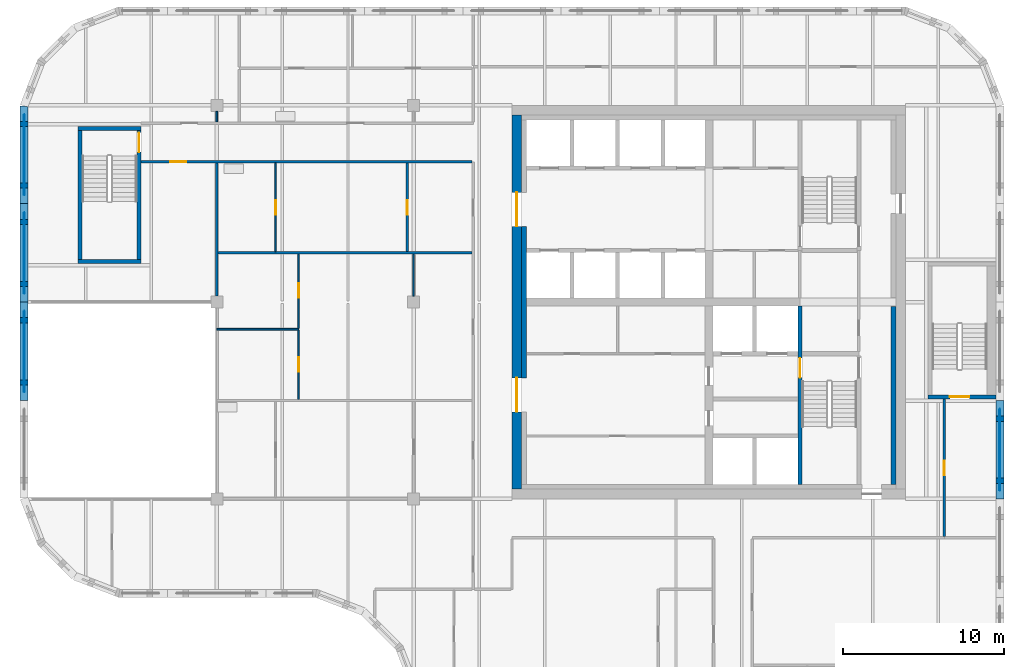
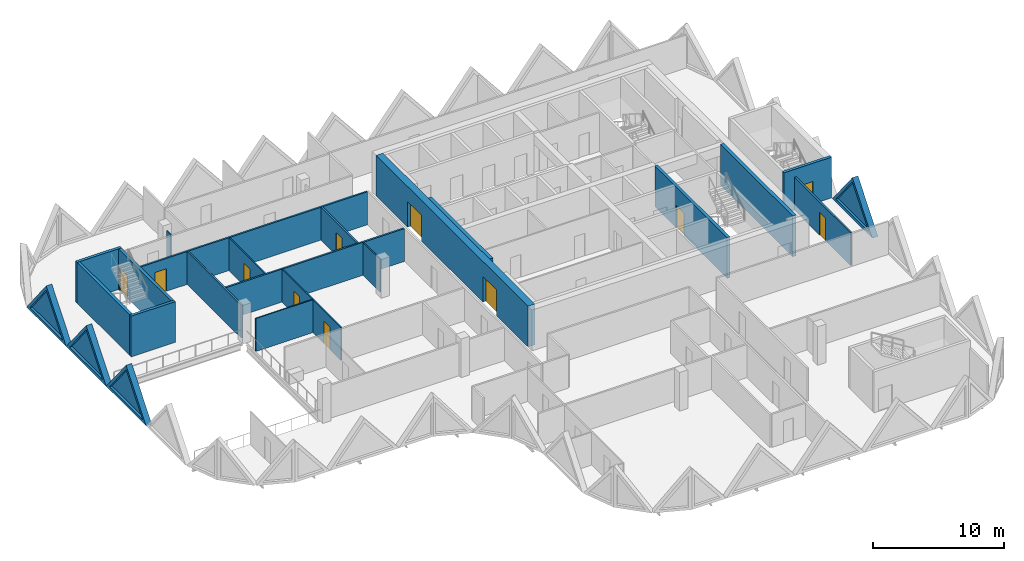
# One storey, part 6 of 12: 24 walls, 11 doors, 4 plates, 15 openings.
"""IFC4 building model written with IfcOpenShell, lengths in metres."""

from ifc_helpers import new_model, si_unit, direction, frame, frame_2d, origin, place, context, subcontext, project, spatial, polyline, rectangle, outline, extrude, faceted_brep, source, transform, mapped, material, layer, layer_set, type_object, element, fill, save


model = new_model("IFC4")

# Units and contexts
model_context = context("Model", 3, precision=1e-05, world=origin(), true_north=direction((0.0, 1.0)))
body_context = subcontext(model_context, "Body", "Model", "MODEL_VIEW")
ifc_project = project(units=[si_unit("LENGTHUNIT", "METRE"), si_unit("AREAUNIT", "SQUARE_METRE"), si_unit("VOLUMEUNIT", "CUBIC_METRE"), si_unit("PLANEANGLEUNIT", "RADIAN"), si_unit("MASSUNIT", "GRAM", prefix="KILO")], contexts=[model_context])

# Site, building, storey
site_placement = place(None, origin())
site = spatial("IfcSite", under=ifc_project, at=site_placement, CompositionType="ELEMENT")
building_placement = place(site_placement, origin())
building = spatial("IfcBuilding", under=site, at=building_placement, Name="Tessera Gate Towers", CompositionType="ELEMENT")
storey_placement = place(building_placement, frame((0.0, 0.0, 155.39990234375)))
storey = spatial("IfcBuildingStorey", under=building, at=storey_placement, Name="L38", CompositionType="ELEMENT", Elevation=155.39990234375)

# Wall, opening, door
ifc_material_1 = material(Name="Concrete C40/50", Category="concrete")
ifc_layer_1 = layer(ifc_material_1, 0.25)
ifc_layer_set_1 = layer_set([ifc_layer_1], Name="CORE ENCLOSURE WALL 250")
wall_type_1 = type_object("IfcWallType", Name="CORE ENCLOSURE WALL 250", PredefinedType="SOLIDWALL", material=ifc_layer_set_1)
wall_1_placement = place(storey_placement, frame((48.35009765625, 36.35009765625, 0.0), z_axis=(0.0, 0.0, 1.0), x_axis=(0.0, -1.0, 0.0)))
wall_1 = element("IfcWall", 1, at=wall_1_placement, inside=storey, type_object=wall_type_1, Name="L38 shaft and stair enclosure wall", PredefinedType="SOLIDWALL", context=body_context, shape_type="SweptSolid", body=[
    extrude(rectangle(XDim=11.050048828125, YDim=0.25, at=frame_2d((5.52490234375, 0.0))), origin(), (0.0, 0.0, 1.0), 3.800048828125),
])
shared_shape_1 = source(origin(), body_context, "Body", "SweptSolid", [
    extrude(rectangle(XDim=1.199951171875, YDim=2.10009765625, at=frame_2d((0.60009765625, 1.050048828125))), frame((0.0, 0.135009765625, 0.0), z_axis=(0.0, -1.0, 0.0), x_axis=(1.0, 0.0, 0.0)), (0.0, 0.0, 1.0), 0.27001953125),
])
opening_1_placement = place(wall_1_placement, frame((3.22509765625, 0.0, 0.0)))
opening_1 = element("IfcOpeningElement", 2, at=opening_1_placement, cuts=wall_1, Name="Opening SD-ST1-1", PredefinedType="OPENING", context=body_context, shape_type="MappedRepresentation", body=[
    mapped(shared_shape_1, transform((0.0, 0.0, 0.0), scale=1.0)),
])
ifc_material_2 = material(Name="Hollow steel fire door", Category="steel")
door_type_1 = type_object("IfcDoorType", Name="CORE DOOR SD 1200x2100", OperationType="NOTDEFINED", PredefinedType="DOOR", material=ifc_material_2)
shared_shape_2 = source(origin(), body_context, "Body", "SweptSolid", [
    extrude(rectangle(XDim=1.199951171875, YDim=2.10009765625, at=frame_2d((0.60009765625, 1.050048828125))), frame((0.0, 0.02490234375, 0.0), z_axis=(0.0, -1.0, 0.0), x_axis=(1.0, 0.0, 0.0)), (0.0, 0.0, 1.0), 0.050048828125),
])
door_1_placement = place(opening_1_placement, origin())
door_1 = element("IfcDoor", 3, at=door_1_placement, inside=storey, type_object=door_type_1, Name="Stair door", OperationType="SINGLE_SWING_LEFT", OverallHeight=2.10009765625, OverallWidth=1.199951171875, PredefinedType="DOOR", context=body_context, shape_type="MappedRepresentation", body=[
    mapped(shared_shape_2, transform((0.0, 0.0, 0.0), scale=1.0)),
])
fill(opening_1, door_1)

# Walls
wall_2_placement = place(storey_placement, frame((7.5, 39.125, 0.0), z_axis=(0.0, 0.0, 1.0), x_axis=(-1.0, 0.0, 0.0)))
element("IfcWall", 4, at=wall_2_placement, inside=storey, type_object=wall_type_1, Name="L38 ST3 enclosure wall", PredefinedType="SOLIDWALL", context=body_context, shape_type="SweptSolid", body=[
    extrude(rectangle(XDim=3.89990234375, YDim=0.25, at=frame_2d((1.949951171875, 0.0))), origin(), (0.0, 0.0, 1.0), 3.800048828125),
])
wall_3_placement = place(storey_placement, frame((3.72509765625, 39.25, 0.0), z_axis=(0.0, 0.0, 1.0), x_axis=(0.0, 1.0, 0.0)))
element("IfcWall", 5, at=wall_3_placement, inside=storey, type_object=wall_type_1, Name="L38 ST3 enclosure wall", PredefinedType="SOLIDWALL", context=body_context, shape_type="SweptSolid", body=[
    extrude(rectangle(XDim=8.0, YDim=0.25, at=frame_2d((4.0, 0.0))), origin(), (0.0, 0.0, 1.0), 3.800048828125),
])
wall_4_placement = place(storey_placement, frame((3.60009765625, 47.375, 0.0), z_axis=(0.0, 0.0, 1.0), x_axis=(1.0, 0.0, 0.0)))
element("IfcWall", 6, at=wall_4_placement, inside=storey, type_object=wall_type_1, Name="L38 ST3 enclosure wall", PredefinedType="SOLIDWALL", context=body_context, shape_type="SweptSolid", body=[
    extrude(rectangle(XDim=3.89990234375, YDim=0.25, at=frame_2d((1.949951171875, 0.0))), origin(), (0.0, 0.0, 1.0), 3.800048828125),
])

# Wall, opening, door
wall_5_placement = place(storey_placement, frame((7.375, 47.25, 0.0), z_axis=(0.0, 0.0, 1.0), x_axis=(0.0, -1.0, 0.0)))
wall_5 = element("IfcWall", 7, at=wall_5_placement, inside=storey, type_object=wall_type_1, Name="L38 ST3 enclosure wall", PredefinedType="SOLIDWALL", context=body_context, shape_type="SweptSolid", body=[
    extrude(rectangle(XDim=8.0, YDim=0.25, at=frame_2d((4.0, 0.0))), origin(), (0.0, 0.0, 1.0), 3.800048828125),
])
opening_2_placement = place(wall_5_placement, frame((0.14990234375, 0.0, 0.0)))
opening_2 = element("IfcOpeningElement", 8, at=opening_2_placement, cuts=wall_5, Name="Opening SD-ST3-1", PredefinedType="OPENING", context=body_context, shape_type="MappedRepresentation", body=[
    mapped(shared_shape_1, transform((0.0, 0.0, 0.0), scale=1.0)),
])
door_2_placement = place(opening_2_placement, origin())
door_2 = element("IfcDoor", 9, at=door_2_placement, inside=storey, type_object=door_type_1, Name="Stair door", OperationType="SINGLE_SWING_LEFT", OverallHeight=2.10009765625, OverallWidth=1.199951171875, PredefinedType="DOOR", context=body_context, shape_type="MappedRepresentation", body=[
    mapped(shared_shape_2, transform((0.0, 0.0, 0.0), scale=1.0)),
])
fill(opening_2, door_2)

wall_6_placement = place(storey_placement, frame((60.5, 30.72509765625, 0.0), z_axis=(0.0, 0.0, 1.0), x_axis=(-1.0, 0.0, 0.0)))
wall_6 = element("IfcWall", 10, at=wall_6_placement, inside=storey, type_object=wall_type_1, Name="L38 ST5 enclosure wall", PredefinedType="SOLIDWALL", context=body_context, shape_type="SweptSolid", body=[
    extrude(rectangle(XDim=4.199951171875, YDim=0.25, at=frame_2d((2.10009765625, 0.0))), origin(), (0.0, 0.0, 1.0), 3.800048828125),
])
opening_3_placement = place(wall_6_placement, frame((1.64990234375, 0.0, 0.0)))
opening_3 = element("IfcOpeningElement", 11, at=opening_3_placement, cuts=wall_6, Name="Opening SD-ST5-1", PredefinedType="OPENING", context=body_context, shape_type="MappedRepresentation", body=[
    mapped(shared_shape_1, transform((0.0, 0.0, 0.0), scale=1.0)),
])
door_3_placement = place(opening_3_placement, origin())
door_3 = element("IfcDoor", 12, at=door_3_placement, inside=storey, type_object=door_type_1, Name="Stair door", OperationType="SINGLE_SWING_RIGHT", OverallHeight=2.10009765625, OverallWidth=1.199951171875, PredefinedType="DOOR", context=body_context, shape_type="MappedRepresentation", body=[
    mapped(shared_shape_2, transform((0.0, 0.0, 0.0), scale=1.0)),
])
fill(opening_3, door_3)

# Wall, openings, doors
ifc_material_3 = material(Name="Concrete C50/60", Category="concrete")
ifc_layer_2 = layer(ifc_material_3, 0.60009765625)
ifc_layer_set_2 = layer_set([ifc_layer_2], Name="CORE SHEAR WALL 600 C50/60")
wall_type_2 = type_object("IfcWallType", Name="CORE SHEAR WALL 600 C50/60", PredefinedType="SHEAR", material=ifc_layer_set_2)
wall_7_placement = place(storey_placement, frame((30.800048828125, 25.0, 0.0), z_axis=(0.0, 0.0, 1.0), x_axis=(0.0, 1.0, 0.0)))
wall_7 = element("IfcWall", 13, at=wall_7_placement, inside=storey, type_object=wall_type_2, Name="Core wall W L38", PredefinedType="SHEAR", context=body_context, shape_type="SweptSolid", body=[
    extrude(rectangle(XDim=23.199951171875, YDim=0.60009765625, at=frame_2d((11.60009765625, 0.0))), origin(), (0.0, 0.0, 1.0), 3.800048828125),
])
shared_shape_3 = source(origin(), body_context, "Body", "SweptSolid", [
    extrude(rectangle(XDim=2.10009765625, YDim=2.39990234375, at=frame_2d((1.050048828125, 1.199951171875))), frame((0.0, 0.31005859375, 0.0), z_axis=(0.0, -1.0, 0.0), x_axis=(1.0, 0.0, 0.0)), (0.0, 0.0, 1.0), 0.6201171875),
])
opening_4_placement = place(wall_7_placement, frame((4.800048828125, 0.0, 0.0)))
opening_4 = element("IfcOpeningElement", 14, at=opening_4_placement, cuts=wall_7, Name="Opening DD-T1-25-02", PredefinedType="OPENING", context=body_context, shape_type="MappedRepresentation", body=[
    mapped(shared_shape_3, transform((0.0, 0.0, 0.0), scale=1.0)),
])
opening_5_placement = place(wall_7_placement, frame((16.300048828125, 0.0, 0.0)))
opening_5 = element("IfcOpeningElement", 15, at=opening_5_placement, cuts=wall_7, Name="Opening DD-T1-25-03", PredefinedType="OPENING", context=body_context, shape_type="MappedRepresentation", body=[
    mapped(shared_shape_3, transform((0.0, 0.0, 0.0), scale=1.0)),
])
ifc_material_4 = material(Name="Hollow steel fire door", Category="steel")
door_type_2 = type_object("IfcDoorType", Name="CORE DOOR DD 2100x2400", OperationType="NOTDEFINED", PredefinedType="DOOR", material=ifc_material_4)
shared_shape_4 = source(origin(), body_context, "Body", "SweptSolid", [
    extrude(rectangle(XDim=2.10009765625, YDim=2.39990234375, at=frame_2d((1.050048828125, 1.199951171875))), frame((0.0, 0.02490234375, 0.0), z_axis=(0.0, -1.0, 0.0), x_axis=(1.0, 0.0, 0.0)), (0.0, 0.0, 1.0), 0.050048828125),
])
door_4_placement = place(opening_4_placement, origin())
door_4 = element("IfcDoor", 16, at=door_4_placement, inside=storey, type_object=door_type_2, Name="Core entrance door", OperationType="DOUBLE_DOOR_SINGLE_SWING", OverallHeight=2.39990234375, OverallWidth=2.10009765625, PredefinedType="DOOR", context=body_context, shape_type="MappedRepresentation", body=[
    mapped(shared_shape_4, transform((0.0, 0.0, 0.0), scale=1.0)),
])
fill(opening_4, door_4)
door_5_placement = place(opening_5_placement, origin())
door_5 = element("IfcDoor", 17, at=door_5_placement, inside=storey, type_object=door_type_2, Name="Core entrance door", OperationType="DOUBLE_DOOR_SINGLE_SWING", OverallHeight=2.39990234375, OverallWidth=2.10009765625, PredefinedType="DOOR", context=body_context, shape_type="MappedRepresentation", body=[
    mapped(shared_shape_4, transform((0.0, 0.0, 0.0), scale=1.0)),
])
fill(opening_5, door_5)

# Walls
ifc_material_5 = material(Name="Concrete C50/60", Category="concrete")
ifc_layer_3 = layer(ifc_material_5, 0.300048828125)
ifc_layer_set_3 = layer_set([ifc_layer_3], Name="CORE WALL THICKENING 300")
wall_type_3 = type_object("IfcWallType", Name="CORE WALL THICKENING 300", PredefinedType="SOLIDWALL", material=ifc_layer_set_3)
wall_8_placement = place(storey_placement, frame((31.25, 31.89990234375, 0.0), z_axis=(0.0, 0.0, 1.0), x_axis=(0.0, 1.0, 0.0)))
element("IfcWall", 18, at=wall_8_placement, inside=storey, type_object=wall_type_3, Name="Core wall thickening W L38", PredefinedType="SOLIDWALL", context=body_context, shape_type="SweptSolid", body=[
    extrude(rectangle(XDim=9.400146484375, YDim=0.300048828125, at=frame_2d((4.7001953125, 0.0))), origin(), (0.0, 0.0, 1.0), 3.800048828125),
])
wall_9_placement = place(storey_placement, frame((54.14990234375, 25.300048828125, 0.0), z_axis=(0.0, 0.0, 1.0), x_axis=(0.0, 1.0, 0.0)))
element("IfcWall", 19, at=wall_9_placement, inside=storey, type_object=wall_type_3, Name="Core wall thickening E L38", PredefinedType="SOLIDWALL", context=body_context, shape_type="SweptSolid", body=[
    extrude(rectangle(XDim=11.02001953125, YDim=0.300048828125, at=frame_2d((5.510009765625, 0.0))), origin(), (0.0, 0.0, 1.0), 3.800048828125),
])

# Wall, opening, door
ifc_material_6 = material(Name="Gypsum board on steel studs, mineral wool", Category="steel")
ifc_layer_4 = layer(ifc_material_6, 0.14990234375)
ifc_layer_set_4 = layer_set([ifc_layer_4], Name="CORRIDOR WALL 150")
wall_type_4 = type_object("IfcWallType", Name="CORRIDOR WALL 150", PredefinedType="PARTITIONING", material=ifc_layer_set_4)
wall_10_placement = place(storey_placement, frame((57.300048828125, 30.60009765625, 0.0), z_axis=(0.0, 0.0, 1.0), x_axis=(0.0, -1.0, 0.0)))
wall_10 = element("IfcWall", 20, at=wall_10_placement, inside=storey, type_object=wall_type_4, Name="T1-L38-PW-025", PredefinedType="PARTITIONING", context=body_context, shape_type="SweptSolid", body=[
    extrude(rectangle(XDim=8.524169921875, YDim=0.14990234375, at=frame_2d((4.26220703125, 0.0))), origin(), (0.0, 0.0, 1.0), 3.067138671875),
])
shared_shape_5 = source(origin(), body_context, "Body", "SweptSolid", [
    extrude(rectangle(XDim=0.89990234375, YDim=2.10009765625, at=frame_2d((0.449951171875, 1.050048828125))), frame((0.0, 0.0849609375, 0.0), z_axis=(0.0, -1.0, 0.0), x_axis=(1.0, 0.0, 0.0)), (0.0, 0.0, 1.0), 0.169921875),
])
opening_6_placement = place(wall_10_placement, frame((3.823974609375, 0.0, 0.0)))
opening_6 = element("IfcOpeningElement", 21, at=opening_6_placement, cuts=wall_10, Name="Opening D890FD60-A14-02", PredefinedType="OPENING", context=body_context, shape_type="MappedRepresentation", body=[
    mapped(shared_shape_5, transform((0.0, 0.0, 0.0), scale=1.0)),
])
ifc_material_7 = material(Name="Timber door leaf in steel frame", Category="steel")
door_type_3 = type_object("IfcDoorType", Name="CORRIDOR DOOR 900 FD60", OperationType="NOTDEFINED", PredefinedType="DOOR", material=ifc_material_7)
shared_shape_6 = source(origin(), body_context, "Body", "SweptSolid", [
    extrude(rectangle(XDim=0.89990234375, YDim=2.10009765625, at=frame_2d((0.449951171875, 1.050048828125))), frame((0.0, 0.02490234375, 0.0), z_axis=(0.0, -1.0, 0.0), x_axis=(1.0, 0.0, 0.0)), (0.0, 0.0, 1.0), 0.050048828125),
])
door_6_placement = place(opening_6_placement, origin())
door_6 = element("IfcDoor", 22, at=door_6_placement, inside=storey, type_object=door_type_3, Name="T1-L38-PD-021", OperationType="SINGLE_SWING_RIGHT", OverallHeight=2.10009765625, OverallWidth=0.89990234375, PredefinedType="DOOR", context=body_context, shape_type="MappedRepresentation", body=[
    mapped(shared_shape_6, transform((0.0, 0.0, 0.0), scale=1.0)),
])
fill(opening_6, door_6)

wall_11_placement = place(storey_placement, frame((28.02392578125, 45.300048828125, 0.0), z_axis=(0.0, 0.0, 1.0), x_axis=(-1.0, 0.0, 0.0)))
wall_11 = element("IfcWall", 23, at=wall_11_placement, inside=storey, type_object=wall_type_4, Name="T1-L38-PW-039", PredefinedType="PARTITIONING", context=body_context, shape_type="SweptSolid", body=[
    extrude(rectangle(XDim=20.52392578125, YDim=0.14990234375, at=frame_2d((10.261962890625, 0.0))), origin(), (0.0, 0.0, 1.0), 3.067138671875),
])
shared_shape_7 = source(origin(), body_context, "Body", "SweptSolid", [
    extrude(rectangle(XDim=1.0, YDim=2.10009765625, at=frame_2d((0.5, 1.050048828125))), frame((0.0, 0.0849609375, 0.0), z_axis=(0.0, -1.0, 0.0), x_axis=(1.0, 0.0, 0.0)), (0.0, 0.0, 1.0), 0.169921875),
])
opening_7_placement = place(wall_11_placement, frame((17.72412109375, 0.0, 0.0)))
opening_7 = element("IfcOpeningElement", 24, at=opening_7_placement, cuts=wall_11, Name="Opening D2100FD60-A14-01", PredefinedType="OPENING", context=body_context, shape_type="MappedRepresentation", body=[
    mapped(shared_shape_7, transform((0.0, 0.0, 0.0), scale=1.0)),
])
ifc_material_8 = material(Name="Timber door leaf in steel frame", Category="steel")
door_type_4 = type_object("IfcDoorType", Name="TENANCY ENTRANCE DOOR 1000 FD60", OperationType="NOTDEFINED", PredefinedType="DOOR", material=ifc_material_8)
shared_shape_8 = source(origin(), body_context, "Body", "SweptSolid", [
    extrude(rectangle(XDim=1.0, YDim=2.10009765625, at=frame_2d((0.5, 1.050048828125))), frame((0.0, 0.02490234375, 0.0), z_axis=(0.0, -1.0, 0.0), x_axis=(1.0, 0.0, 0.0)), (0.0, 0.0, 1.0), 0.050048828125),
])
door_7_placement = place(opening_7_placement, origin())
door_7 = element("IfcDoor", 25, at=door_7_placement, inside=storey, type_object=door_type_4, Name="T1-L38-PD-005", OperationType="SINGLE_SWING_RIGHT", OverallHeight=2.10009765625, OverallWidth=1.0, PredefinedType="DOOR", context=body_context, shape_type="MappedRepresentation", body=[
    mapped(shared_shape_8, transform((0.0, 0.0, 0.0), scale=1.0)),
])
fill(opening_7, door_7)

ifc_material_9 = material(Name="Gypsum board on steel studs", Category="steel")
ifc_layer_5 = layer(ifc_material_9, 0.10009765625)
ifc_layer_set_5 = layer_set([ifc_layer_5], Name="PARTITION 100")
wall_type_5 = type_object("IfcWallType", Name="PARTITION 100", PredefinedType="PARTITIONING", material=ifc_layer_set_5)
wall_12_placement = place(storey_placement, frame((17.27490234375, 30.575927734375, 0.0), z_axis=(0.0, 0.0, 1.0), x_axis=(0.0, 1.0, 0.0)))
wall_12 = element("IfcWall", 26, at=wall_12_placement, inside=storey, type_object=wall_type_5, Name="T1-L38-PW-031", PredefinedType="PARTITIONING", context=body_context, shape_type="SweptSolid", body=[
    extrude(rectangle(XDim=4.29345703125, YDim=0.10009765625, at=frame_2d((2.146728515625, 0.0))), origin(), (0.0, 0.0, 1.0), 3.067138671875),
])
shared_shape_9 = source(origin(), body_context, "Body", "SweptSolid", [
    extrude(rectangle(XDim=0.89990234375, YDim=2.10009765625, at=frame_2d((0.449951171875, 1.050048828125))), frame((0.0, 0.06005859375, 0.0), z_axis=(0.0, -1.0, 0.0), x_axis=(1.0, 0.0, 0.0)), (0.0, 0.0, 1.0), 0.1201171875),
])
opening_8_placement = place(wall_12_placement, frame((1.699951171875, 0.0, 0.0)))
opening_8 = element("IfcOpeningElement", 27, at=opening_8_placement, cuts=wall_12, Name="Opening D190-A14-02", PredefinedType="OPENING", context=body_context, shape_type="MappedRepresentation", body=[
    mapped(shared_shape_9, transform((0.0, 0.0, 0.0), scale=1.0)),
])
ifc_material_10 = material(Name="Timber door leaf in steel frame", Category="steel")
door_type_5 = type_object("IfcDoorType", Name="INTERNAL DOOR 900 NOT RATED", OperationType="NOTDEFINED", PredefinedType="DOOR", material=ifc_material_10)
door_8_placement = place(opening_8_placement, origin())
door_8 = element("IfcDoor", 28, at=door_8_placement, inside=storey, type_object=door_type_5, Name="T1-L38-PD-003", OperationType="SINGLE_SWING_LEFT", OverallHeight=2.10009765625, OverallWidth=0.89990234375, PredefinedType="DOOR", context=body_context, shape_type="MappedRepresentation", body=[
    mapped(shared_shape_6, transform((0.0, 0.0, 0.0), scale=1.0)),
])
fill(opening_8, door_8)

# Wall
wall_13_placement = place(storey_placement, frame((12.199951171875, 34.919921875, 0.0), z_axis=(0.0, 0.0, 1.0), x_axis=(1.0, 0.0, 0.0)))
element("IfcWall", 29, at=wall_13_placement, inside=storey, type_object=wall_type_5, Name="T1-L38-PW-032", PredefinedType="PARTITIONING", context=body_context, shape_type="SweptSolid", body=[
    extrude(rectangle(XDim=5.074951171875, YDim=0.10009765625, at=frame_2d((2.53759765625, 0.0))), origin(), (0.0, 0.0, 1.0), 3.067138671875),
])

# Wall, opening, door
wall_14_placement = place(storey_placement, frame((17.27490234375, 34.97119140625, 0.0), z_axis=(0.0, 0.0, 1.0), x_axis=(0.0, 1.0, 0.0)))
wall_14 = element("IfcWall", 30, at=wall_14_placement, inside=storey, type_object=wall_type_5, Name="T1-L38-PW-033", PredefinedType="PARTITIONING", context=body_context, shape_type="SweptSolid", body=[
    extrude(rectangle(XDim=4.602783203125, YDim=0.10009765625, at=frame_2d((2.30126953125, 0.0))), origin(), (0.0, 0.0, 1.0), 3.067138671875),
])
opening_9_placement = place(wall_14_placement, frame((1.89990234375, 0.0, 0.0)))
opening_9 = element("IfcOpeningElement", 31, at=opening_9_placement, cuts=wall_14, Name="Opening D190-A14-03", PredefinedType="OPENING", context=body_context, shape_type="MappedRepresentation", body=[
    mapped(shared_shape_9, transform((0.0, 0.0, 0.0), scale=1.0)),
])
door_9_placement = place(opening_9_placement, origin())
door_9 = element("IfcDoor", 32, at=door_9_placement, inside=storey, type_object=door_type_5, Name="T1-L38-PD-004", OperationType="SINGLE_SWING_LEFT", OverallHeight=2.10009765625, OverallWidth=0.89990234375, PredefinedType="DOOR", context=body_context, shape_type="MappedRepresentation", body=[
    mapped(shared_shape_6, transform((0.0, 0.0, 0.0), scale=1.0)),
])
fill(opening_9, door_9)

# Wall
wall_15_placement = place(storey_placement, frame((24.39990234375, 36.97509765625, 0.0), z_axis=(0.0, 0.0, 1.0), x_axis=(0.0, 1.0, 0.0)))
element("IfcWall", 33, at=wall_15_placement, inside=storey, type_object=wall_type_5, Name="T1-L38-PW-035", PredefinedType="PARTITIONING", context=body_context, shape_type="SweptSolid", body=[
    extrude(rectangle(XDim=2.599853515625, YDim=0.10009765625, at=frame_2d((1.2998046875, 0.0))), origin(), (0.0, 0.0, 1.0), 3.067138671875),
])

# Wall, opening, door
wall_16_placement = place(storey_placement, frame((15.85009765625, 39.72607421875, 0.0), z_axis=(0.0, 0.0, 1.0), x_axis=(0.0, 1.0, 0.0)))
wall_16 = element("IfcWall", 34, at=wall_16_placement, inside=storey, type_object=wall_type_5, Name="T1-L38-PW-037", PredefinedType="PARTITIONING", context=body_context, shape_type="SweptSolid", body=[
    extrude(rectangle(XDim=5.498046875, YDim=0.10009765625, at=frame_2d((2.7490234375, 0.0))), origin(), (0.0, 0.0, 1.0), 3.067138671875),
])
opening_10_placement = place(wall_16_placement, frame((2.300048828125, 0.0, 0.0)))
opening_10 = element("IfcOpeningElement", 35, at=opening_10_placement, cuts=wall_16, Name="Opening D190-A14-06", PredefinedType="OPENING", context=body_context, shape_type="MappedRepresentation", body=[
    mapped(shared_shape_9, transform((0.0, 0.0, 0.0), scale=1.0)),
])
door_10_placement = place(opening_10_placement, origin())
door_10 = element("IfcDoor", 36, at=door_10_placement, inside=storey, type_object=door_type_5, Name="T1-L38-PD-009", OperationType="SINGLE_SWING_LEFT", OverallHeight=2.10009765625, OverallWidth=0.89990234375, PredefinedType="DOOR", context=body_context, shape_type="MappedRepresentation", body=[
    mapped(shared_shape_6, transform((0.0, 0.0, 0.0), scale=1.0)),
])
fill(opening_10, door_10)

# Walls
wall_17_placement = place(storey_placement, frame((12.199951171875, 48.425048828125, 0.0), z_axis=(0.0, 0.0, 1.0), x_axis=(0.0, -1.0, 0.0)))
element("IfcWall", 37, at=wall_17_placement, inside=storey, type_object=wall_type_5, Name="T1-L38-PW-043", PredefinedType="PARTITIONING", context=body_context, shape_type="SweptSolid", body=[
    extrude(rectangle(XDim=0.650146484375, YDim=0.10009765625, at=frame_2d((0.3251953125, 0.0))), origin(), (0.0, 0.0, 1.0), 3.067138671875),
])
ifc_material_11 = material(Name="Gypsum board on steel studs, mineral wool", Category="steel")
ifc_layer_6 = layer(ifc_material_11, 0.14990234375)
ifc_layer_set_6 = layer_set([ifc_layer_6], Name="TENANCY WALL 150")
wall_type_6 = type_object("IfcWallType", Name="TENANCY WALL 150", PredefinedType="PARTITIONING", material=ifc_layer_set_6)
wall_18_placement = place(storey_placement, frame((12.199951171875, 36.97607421875, 0.0), z_axis=(0.0, 0.0, 1.0), x_axis=(0.0, 1.0, 0.0)))
element("IfcWall", 38, at=wall_18_placement, inside=storey, type_object=wall_type_6, Name="T1-L38-PW-034", PredefinedType="PARTITIONING", context=body_context, shape_type="SweptSolid", body=[
    extrude(rectangle(XDim=8.248046875, YDim=0.14990234375, at=frame_2d((4.1240234375, 0.0))), origin(), (0.0, 0.0, 1.0), 3.067138671875),
])
wall_19_placement = place(storey_placement, frame((12.27587890625, 39.64990234375, 0.0), z_axis=(0.0, 0.0, 1.0), x_axis=(1.0, 0.0, 0.0)))
element("IfcWall", 39, at=wall_19_placement, inside=storey, type_object=wall_type_6, Name="T1-L38-PW-036", PredefinedType="PARTITIONING", context=body_context, shape_type="SweptSolid", body=[
    extrude(rectangle(XDim=15.748046875, YDim=0.14990234375, at=frame_2d((7.8740234375, 0.0))), origin(), (0.0, 0.0, 1.0), 3.067138671875),
])

# Wall, opening, door
wall_20_placement = place(storey_placement, frame((24.0, 39.72607421875, 0.0), z_axis=(0.0, 0.0, 1.0), x_axis=(0.0, 1.0, 0.0)))
wall_20 = element("IfcWall", 40, at=wall_20_placement, inside=storey, type_object=wall_type_6, Name="T1-L38-PW-038", PredefinedType="PARTITIONING", context=body_context, shape_type="SweptSolid", body=[
    extrude(rectangle(XDim=5.498046875, YDim=0.14990234375, at=frame_2d((2.7490234375, 0.0))), origin(), (0.0, 0.0, 1.0), 3.067138671875),
])
opening_11_placement = place(wall_20_placement, frame((2.300048828125, 0.0, 0.0)))
opening_11 = element("IfcOpeningElement", 41, at=opening_11_placement, cuts=wall_20, Name="Opening D190-A14-05", PredefinedType="OPENING", context=body_context, shape_type="MappedRepresentation", body=[
    mapped(shared_shape_5, transform((0.0, 0.0, 0.0), scale=1.0)),
])
door_11_placement = place(opening_11_placement, origin())
door_11 = element("IfcDoor", 42, at=door_11_placement, inside=storey, type_object=door_type_5, Name="T1-L38-PD-008", OperationType="SINGLE_SWING_LEFT", OverallHeight=2.10009765625, OverallWidth=0.89990234375, PredefinedType="DOOR", context=body_context, shape_type="MappedRepresentation", body=[
    mapped(shared_shape_6, transform((0.0, 0.0, 0.0), scale=1.0)),
])
fill(opening_11, door_11)

# Wall, opening, plate
ifc_material_12 = material(Name="Precast concrete C60/75 white", Category="concrete")
ifc_layer_7 = layer(ifc_material_12, 0.5)
ifc_layer_set_7 = layer_set([ifc_layer_7], Name="TS2 half tessera")
wall_type_7 = type_object("IfcWallType", Name="TS2 half tessera", PredefinedType="SOLIDWALL", material=ifc_layer_set_7)
shared_shape_10 = source(origin(), body_context, "Body", "Brep", [
    faceted_brep([(6.099853515625, -0.25, 0.000244140625), (3.050048828125, -0.25, 3.800048828125), (0.0, -0.25, 0.0), (6.099853515625, -0.25, 0.0), (0.0, 0.25, 0.0), (3.050048828125, 0.25, 3.800048828125), (6.099853515625, 0.25, 0.000244140625), (6.099853515625, 0.25, 0.0)], [[[0, 1, 2, 3]], [[4, 5, 6, 7]], [[6, 5, 1, 0]], [[5, 4, 2, 1]], [[4, 7, 3, 2]], [[3, 7, 6, 0]]]),
])
wall_21_placement = place(storey_placement, frame((0.25, 42.699951171875, 0.0), z_axis=(0.0, 0.0, 1.0), x_axis=(0.0, -1.0, 0.0)))
wall_21 = element("IfcWall", 43, at=wall_21_placement, inside=storey, type_object=wall_type_7, Name="Precast half tessera T1 TS2-0202", PredefinedType="SOLIDWALL", context=body_context, shape_type="MappedRepresentation", body=[
    mapped(shared_shape_10, transform((0.0, 0.0, 0.0), scale=1.0)),
])
shared_shape_11 = source(origin(), body_context, "Body", "SweptSolid", [
    extrude(outline(polyline([(5.578857421875, 0.25), (3.050048828125, 3.400634765625), (0.521240234375, 0.25), (5.578857421875, 0.25)])), frame((0.0, 0.260009765625, 0.0), z_axis=(0.0, -1.0, 0.0), x_axis=(1.0, 0.0, 0.0)), (0.0, 0.0, 1.0), 0.52001953125),
])
opening_12_placement = place(wall_21_placement, origin())
opening_12 = element("IfcOpeningElement", 44, at=opening_12_placement, cuts=wall_21, Name="Opening T1-PL1-0408", PredefinedType="OPENING", context=body_context, shape_type="MappedRepresentation", body=[
    mapped(shared_shape_11, transform((0.0, 0.0, 0.0), scale=1.0)),
])
ifc_material_13 = material(Name="Low-e laminated glass", Category="glass")
ifc_layer_8 = layer(ifc_material_13, 0.06005859375)
ifc_layer_set_8 = layer_set([ifc_layer_8], Name="PL1 triangular pane")
plate_type = type_object("IfcPlateType", Name="PL1 triangular pane", PredefinedType="SHEET", material=ifc_layer_set_8)
shared_shape_12 = source(origin(), body_context, "Body", "SweptSolid", [
    extrude(outline(polyline([(5.578857421875, 0.25), (3.050048828125, 3.400634765625), (0.521240234375, 0.25), (5.578857421875, 0.25)])), frame((0.0, 0.030029296875, 0.0), z_axis=(0.0, -1.0, 0.0), x_axis=(1.0, 0.0, 0.0)), (0.0, 0.0, 1.0), 0.06005859375),
])
plate_1_placement = place(opening_12_placement, origin())
plate_1 = element("IfcPlate", 45, at=plate_1_placement, inside=storey, type_object=plate_type, Name="Glass pane T1 PL1-0408", PredefinedType="SHEET", context=body_context, shape_type="MappedRepresentation", body=[
    mapped(shared_shape_12, transform((0.0, 0.0, 0.0), scale=1.0)),
])
fill(opening_12, plate_1)

shared_shape_13 = source(origin(), body_context, "Body", "SweptSolid", [
    extrude(outline(polyline([(6.10009765625, 0.0), (3.050048828125, 3.800048828125), (0.0, 0.0), (6.10009765625, 0.0)])), frame((0.0, 0.25, 0.0), z_axis=(0.0, -1.0, 0.0), x_axis=(1.0, 0.0, 0.0)), (0.0, 0.0, 1.0), 0.5),
])
wall_22_placement = place(storey_placement, frame((60.75, 24.39990234375, 0.0), z_axis=(0.0, 0.0, 1.0), x_axis=(0.0, 1.0, 0.0)))
wall_22 = element("IfcWall", 46, at=wall_22_placement, inside=storey, type_object=wall_type_7, Name="Precast half tessera T1 TS2-0190", PredefinedType="SOLIDWALL", context=body_context, shape_type="MappedRepresentation", body=[
    mapped(shared_shape_13, transform((0.0, 0.0, 0.0), scale=1.0)),
])
opening_13_placement = place(wall_22_placement, origin())
opening_13 = element("IfcOpeningElement", 47, at=opening_13_placement, cuts=wall_22, Name="Opening T1-PL1-0388", PredefinedType="OPENING", context=body_context, shape_type="MappedRepresentation", body=[
    mapped(shared_shape_11, transform((0.0, 0.0, 0.0), scale=1.0)),
])
plate_2_placement = place(opening_13_placement, origin())
plate_2 = element("IfcPlate", 48, at=plate_2_placement, inside=storey, type_object=plate_type, Name="Glass pane T1 PL1-0388", PredefinedType="SHEET", context=body_context, shape_type="MappedRepresentation", body=[
    mapped(shared_shape_12, transform((0.0, 0.0, 0.0), scale=1.0)),
])
fill(opening_13, plate_2)

wall_23_placement = place(storey_placement, frame((0.25, 36.60009765625, 0.0), z_axis=(0.0, 0.0, 1.0), x_axis=(0.0, -1.0, 0.0)))
wall_23 = element("IfcWall", 49, at=wall_23_placement, inside=storey, type_object=wall_type_7, Name="Precast half tessera T1 TS2-0203", PredefinedType="SOLIDWALL", context=body_context, shape_type="MappedRepresentation", body=[
    mapped(shared_shape_13, transform((0.0, 0.0, 0.0), scale=1.0)),
])
opening_14_placement = place(wall_23_placement, origin())
opening_14 = element("IfcOpeningElement", 50, at=opening_14_placement, cuts=wall_23, Name="Opening T1-PL1-0409", PredefinedType="OPENING", context=body_context, shape_type="MappedRepresentation", body=[
    mapped(shared_shape_11, transform((0.0, 0.0, 0.0), scale=1.0)),
])
plate_3_placement = place(opening_14_placement, origin())
plate_3 = element("IfcPlate", 51, at=plate_3_placement, inside=storey, type_object=plate_type, Name="Glass pane T1 PL1-0409", PredefinedType="SHEET", context=body_context, shape_type="MappedRepresentation", body=[
    mapped(shared_shape_12, transform((0.0, 0.0, 0.0), scale=1.0)),
])
fill(opening_14, plate_3)

shared_shape_14 = source(origin(), body_context, "Body", "Brep", [
    faceted_brep([(6.053466796875, -0.25, 0.0), (3.00341796875, -0.25, 3.800048828125), (0.0, -0.25, 0.0), (0.046630859375, 0.25, 0.058837890625), (3.00341796875, 0.25, 3.800048828125), (6.053466796875, 0.25, 0.0), (0.046630859375, 0.25, 0.0), (0.0, 0.0, 0.0)], [[[0, 1, 2]], [[3, 4, 5, 6]], [[5, 4, 1, 0]], [[4, 3, 7, 2, 1]], [[6, 5, 0, 2, 7]], [[6, 7, 3]]]),
])
wall_24_placement = place(storey_placement, frame((0.25, 48.75341796875, 0.0), z_axis=(0.0, 0.0, 1.0), x_axis=(0.0, -1.0, 0.0)))
wall_24 = element("IfcWall", 52, at=wall_24_placement, inside=storey, type_object=wall_type_7, Name="Precast half tessera T1 TS2-0201", PredefinedType="SOLIDWALL", context=body_context, shape_type="MappedRepresentation", body=[
    mapped(shared_shape_14, transform((0.0, 0.0, 0.0), scale=1.0)),
])
shared_shape_15 = source(origin(), body_context, "Body", "SweptSolid", [
    extrude(outline(polyline([(5.5322265625, 0.25), (3.0048828125, 3.39892578125), (0.516357421875, 0.25), (5.5322265625, 0.25)])), frame((0.0, 0.260009765625, 0.0), z_axis=(0.0, -1.0, 0.0), x_axis=(1.0, 0.0, 0.0)), (0.0, 0.0, 1.0), 0.52001953125),
])
opening_15_placement = place(wall_24_placement, origin())
opening_15 = element("IfcOpeningElement", 53, at=opening_15_placement, cuts=wall_24, Name="Opening T1-PL1-0407", PredefinedType="OPENING", context=body_context, shape_type="MappedRepresentation", body=[
    mapped(shared_shape_15, transform((0.0, 0.0, 0.0), scale=1.0)),
])
shared_shape_16 = source(origin(), body_context, "Body", "SweptSolid", [
    extrude(outline(polyline([(5.5322265625, 0.25), (3.0048828125, 3.39892578125), (0.516357421875, 0.25), (5.5322265625, 0.25)])), frame((0.0, 0.030029296875, 0.0), z_axis=(0.0, -1.0, 0.0), x_axis=(1.0, 0.0, 0.0)), (0.0, 0.0, 1.0), 0.06005859375),
])
plate_4_placement = place(opening_15_placement, origin())
plate_4 = element("IfcPlate", 54, at=plate_4_placement, inside=storey, type_object=plate_type, Name="Glass pane T1 PL1-0407", PredefinedType="SHEET", context=body_context, shape_type="MappedRepresentation", body=[
    mapped(shared_shape_16, transform((0.0, 0.0, 0.0), scale=1.0)),
])
fill(opening_15, plate_4)

save(model, "model.ifc")
